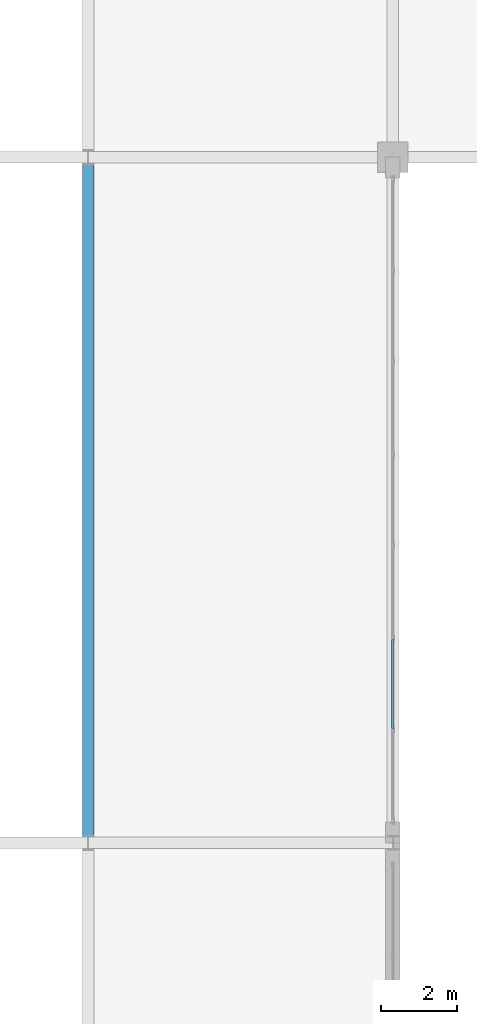
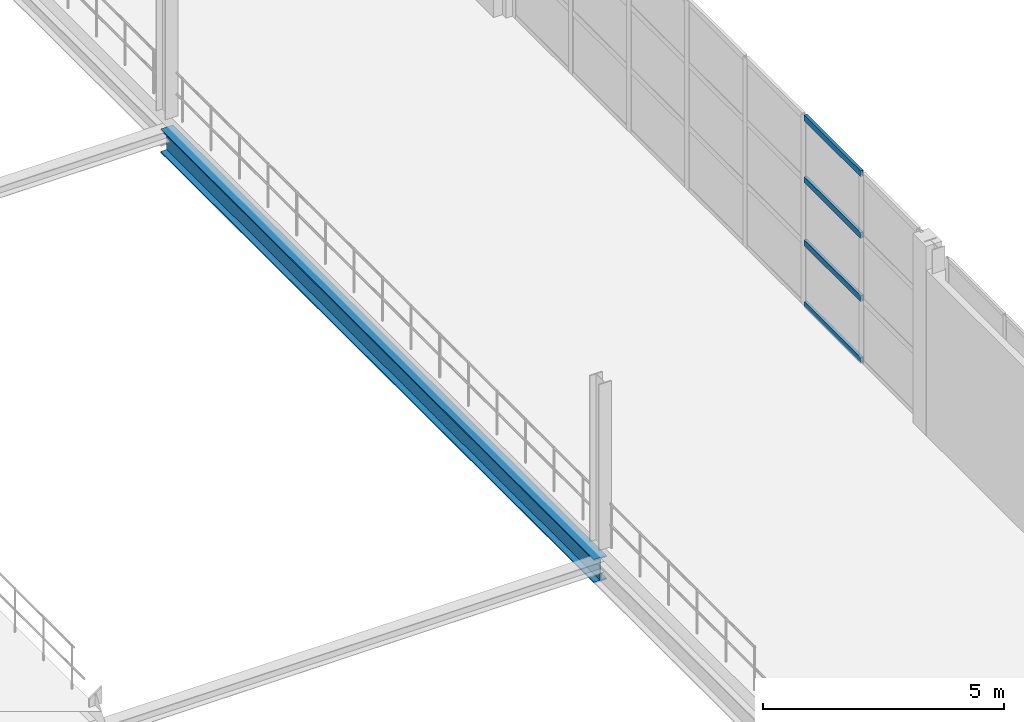
# One storey, part 53 of 147: 4 members, 1 beam, 1 element without a shape of its own.
"""IFC4 building model written with IfcOpenShell, lengths in metres."""

from ifc_helpers import new_model, si_unit, direction, frame, origin, origin_2d, place, context, subcontext, project, spatial, hollow_rectangle, i_section, extrude, material, layer, layer_set, material_profile, profile_set, type_object, element, aggregate, save


model = new_model("IFC4")

# Units and contexts
model_context = context("Model", 3, precision=1e-05, world=origin(), true_north=direction((0.0, 1.0)))
body_context = subcontext(model_context, "Body", "Model", "MODEL_VIEW")
ifc_project = project(units=[si_unit("LENGTHUNIT", "METRE"), si_unit("AREAUNIT", "SQUARE_METRE"), si_unit("VOLUMEUNIT", "CUBIC_METRE"), si_unit("PLANEANGLEUNIT", "RADIAN"), si_unit("MASSUNIT", "GRAM", prefix="KILO")], contexts=[model_context])

# Site, building, storey
site_placement = place(None, origin())
site = spatial("IfcSite", under=ifc_project, at=site_placement, CompositionType="ELEMENT")
building_placement = place(site_placement, origin())
building = spatial("IfcBuilding", under=site, at=building_placement, Name="Zilviju Railside Exhibition Hall", CompositionType="ELEMENT")
storey_placement = place(building_placement, frame((0.0, 0.0, 8.39990234375)))
storey = spatial("IfcBuildingStorey", under=building, at=storey_placement, Name="L03", CompositionType="ELEMENT", Elevation=8.39990234375)

# Beam
ifc_material_1 = material(Name="Steel S355J2", Category="steel")
ifc_material_profile_1 = material_profile(ifc_material_1, i_section(OverallWidth=0.300048828125, OverallDepth=0.60009765625, WebThickness=0.015380859375, FlangeThickness=0.030029296875, at=origin_2d()), Name="HEB 600")
ifc_profile_set_1 = profile_set([ifc_material_profile_1], Name="Steel S355J2")
beam_type = type_object("IfcBeamType", Name="BM-HEB600", PredefinedType="BEAM", material=ifc_profile_set_1)
beam_placement = place(storey_placement, frame((70.0, 36.0, -0.64990234375), z_axis=(0.0, 1.0, 0.0), x_axis=(-1.0, 0.0, 0.0)))
element("IfcBeam", 1, at=beam_placement, inside=storey, type_object=beam_type, Name="Transverse Girder L03 X=70.0 (36.0..54.0)", PredefinedType="BEAM", context=body_context, shape_type="SweptSolid", body=[
    extrude(i_section(OverallWidth=0.300048828125, OverallDepth=0.60009765625, WebThickness=0.015380859375, FlangeThickness=0.030029296875, at=origin_2d()), origin(), (0.0, 0.0, 1.0), 18.0),
])

# Curtain wall, members
ifc_material_2 = material(Name="Thermally broken aluminium-steel triple-glazed curtain wall", Category="steel")
ifc_layer = layer(ifc_material_2, 0.179931640625)
ifc_layer_set = layer_set([ifc_layer], Name="Thermally broken aluminium-steel triple-glazed curtain wall")
curtain_wall_type = type_object("IfcCurtainWallType", Name="CW-BAY-01", PredefinedType="USERDEFINED", material=ifc_layer_set)
curtain_wall_placement = place(storey_placement, origin())
curtain_wall = element("IfcCurtainWall", 2, at=curtain_wall_placement, inside=storey, type_object=curtain_wall_type, Name="South Hall West Upper Glazed Gable (36..54)", ObjectType="GLAZED CURTAIN WALL", PredefinedType="USERDEFINED")
ifc_material_3 = material(Name="Thermally broken anodized aluminium transom", Category="aluminium")
ifc_material_profile_2 = material_profile(ifc_material_3, hollow_rectangle(XDim=0.070068359375, YDim=0.14990234375, WallThickness=0.0048828125, at=origin_2d()), Name="TRANSOM 150x70x5")
ifc_profile_set_2 = profile_set([ifc_material_profile_2], Name="Thermally broken anodized aluminium transom")
member_type = type_object("IfcMemberType", Name="CWT-70x150", PredefinedType="USERDEFINED", material=ifc_profile_set_2)
member_1_placement = place(storey_placement, frame((78.0, 38.999267578125, 0.03515625), z_axis=(0.0, 1.0, 0.0), x_axis=(-1.0, 0.0, 0.0)))
member_1 = element("IfcMember", 3, at=member_1_placement, type_object=member_type, Name="CW-01 transom 2.1", ObjectType="TRANSOM", PredefinedType="USERDEFINED", context=body_context, shape_type="SweptSolid", body=[
    extrude(hollow_rectangle(XDim=0.070068359375, YDim=0.14990234375, WallThickness=0.0048828125, at=origin_2d()), origin(), (0.0, 0.0, 1.0), 2.34423828125),
])
member_2_placement = place(storey_placement, frame((78.0, 38.999267578125, 1.60009765625), z_axis=(0.0, 1.0, 0.0), x_axis=(-1.0, 0.0, 0.0)))
member_2 = element("IfcMember", 4, at=member_2_placement, type_object=member_type, Name="CW-01 transom 2.2", ObjectType="TRANSOM", PredefinedType="USERDEFINED", context=body_context, shape_type="SweptSolid", body=[
    extrude(hollow_rectangle(XDim=0.070068359375, YDim=0.14990234375, WallThickness=0.0048828125, at=origin_2d()), origin(), (0.0, 0.0, 1.0), 2.34423828125),
])
member_3_placement = place(storey_placement, frame((78.0, 38.999267578125, 3.2001953125), z_axis=(0.0, 1.0, 0.0), x_axis=(-1.0, 0.0, 0.0)))
member_3 = element("IfcMember", 5, at=member_3_placement, type_object=member_type, Name="CW-01 transom 2.3", ObjectType="TRANSOM", PredefinedType="USERDEFINED", context=body_context, shape_type="SweptSolid", body=[
    extrude(hollow_rectangle(XDim=0.070068359375, YDim=0.14990234375, WallThickness=0.0048828125, at=origin_2d()), origin(), (0.0, 0.0, 1.0), 2.34423828125),
])
member_4_placement = place(storey_placement, frame((78.0, 38.999267578125, 4.76513671875), z_axis=(0.0, 1.0, 0.0), x_axis=(-1.0, 0.0, 0.0)))
member_4 = element("IfcMember", 6, at=member_4_placement, type_object=member_type, Name="CW-01 transom 2.4", ObjectType="TRANSOM", PredefinedType="USERDEFINED", context=body_context, shape_type="SweptSolid", body=[
    extrude(hollow_rectangle(XDim=0.070068359375, YDim=0.14990234375, WallThickness=0.0048828125, at=origin_2d()), origin(), (0.0, 0.0, 1.0), 2.34423828125),
])
aggregate(curtain_wall, [member_1, member_2, member_3, member_4])

save(model, "model.ifc")
